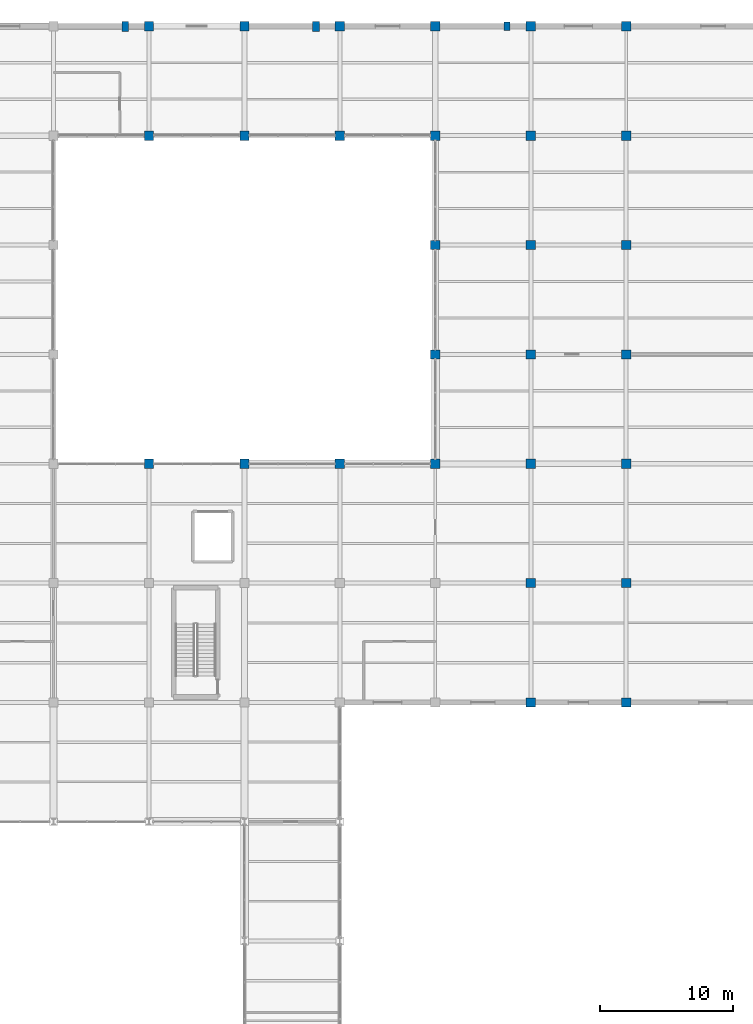
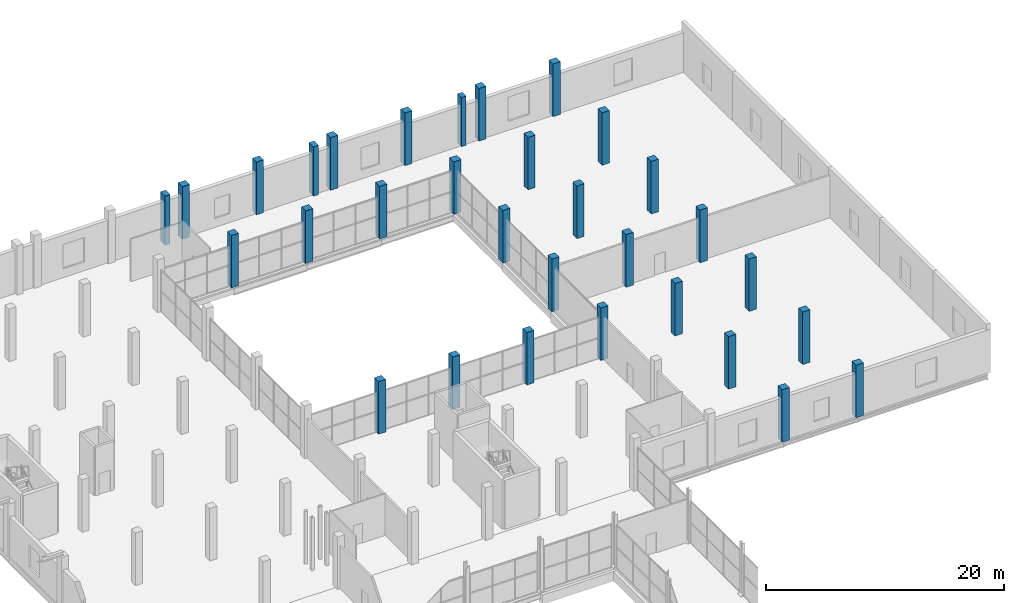
# One storey, part 11 of 147: 31 columns.
"""IFC4 building model written with IfcOpenShell, lengths in metres."""

from ifc_helpers import new_model, si_unit, direction, frame, origin, origin_2d, place, context, subcontext, project, spatial, rectangle, extrude, material, material_profile, profile_set, type_object, element, save


model = new_model("IFC4")

# Units and contexts
model_context = context("Model", 3, precision=1e-05, world=origin(), true_north=direction((0.0, 1.0)))
body_context = subcontext(model_context, "Body", "Model", "MODEL_VIEW")
ifc_project = project(units=[si_unit("LENGTHUNIT", "METRE"), si_unit("AREAUNIT", "SQUARE_METRE"), si_unit("VOLUMEUNIT", "CUBIC_METRE"), si_unit("PLANEANGLEUNIT", "RADIAN"), si_unit("MASSUNIT", "GRAM", prefix="KILO")], contexts=[model_context])

# Site, building, storey
site_placement = place(None, origin())
site = spatial("IfcSite", under=ifc_project, at=site_placement, CompositionType="ELEMENT")
building_placement = place(site_placement, origin())
building = spatial("IfcBuilding", under=site, at=building_placement, Name="Sundgate Opera House", CompositionType="ELEMENT")
storey_placement = place(building_placement, frame((0.0, 0.0, 6.0)))
storey = spatial("IfcBuildingStorey", under=building, at=storey_placement, Name="L01", CompositionType="ELEMENT", Elevation=6.0)

# Columns
ifc_material_1 = material(Name="Concrete C40/50", Category="concrete")
ifc_material_profile_1 = material_profile(ifc_material_1, rectangle(XDim=0.699951171875, YDim=0.699951171875, at=origin_2d()), Name="RC 700x700")
ifc_profile_set_1 = profile_set([ifc_material_profile_1], Name="Concrete C40/50")
column_type_1 = type_object("IfcColumnType", Name="CL-RC-700", PredefinedType="COLUMN", material=ifc_profile_set_1)
for number, where, z_axis, x_axis, name in (
    (1, (131.39990234375, 87.0, 0.0), (0.0, 0.0, 1.0), (1.0, 0.0, 0.0), "L01 Column C0985"),
    (2, (131.39990234375, 111.75, 0.0), (0.0, 0.0, 1.0), (1.0, 0.0, 0.0), "L01 Column C0991"),
    (3, (131.39990234375, 120.0, 0.0), (0.0, 0.0, 1.0), (1.0, 0.0, 0.0), "L01 Column C0994"),
    (4, (138.60009765625, 87.0, 0.0), (0.0, 0.0, 1.0), (1.0, 0.0, 0.0), "L01 Column C1039"),
    (5, (138.60009765625, 111.75, 0.0), (0.0, 0.0, 1.0), (1.0, 0.0, 0.0), "L01 Column C1045"),
    (6, (138.60009765625, 120.0, 0.0), (0.0, 0.0, 1.0), (1.0, 0.0, 0.0), "L01 Column C1048"),
    (7, (145.800048828125, 87.0, 0.0), (0.0, 0.0, 1.0), (1.0, 0.0, 0.0), "L01 Column C1093"),
    (8, (145.800048828125, 111.75, 0.0), (0.0, 0.0, 1.0), (1.0, 0.0, 0.0), "L01 Column C1099"),
    (9, (145.800048828125, 120.0, 0.0), (0.0, 0.0, 1.0), (1.0, 0.0, 0.0), "L01 Column C1102"),
    (10, (153.0, 87.0, 0.0), (0.0, 0.0, 1.0), (1.0, 0.0, 0.0), "L01 Column C1132"),
    (11, (153.0, 95.25, 0.0), (0.0, 0.0, 1.0), (1.0, 0.0, 0.0), "L01 Column C1136"),
    (12, (153.0, 103.5, 0.0), (0.0, 0.0, 1.0), (1.0, 0.0, 0.0), "L01 Column C1140"),
    (13, (153.0, 111.75, 0.0), (0.0, 0.0, 1.0), (1.0, 0.0, 0.0), "L01 Column C1144"),
    (14, (153.0, 120.0, 0.0), (0.0, 0.0, 1.0), (1.0, 0.0, 0.0), "L01 Column C1148"),
    (15, (160.199951171875, 69.0, 0.0), (0.0, 0.0, 1.0), (1.0, 0.0, 0.0), "L01 Column C1166"),
    (16, (160.199951171875, 78.0, 0.0), (0.0, 0.0, 1.0), (1.0, 0.0, 0.0), "L01 Column C1170"),
    (17, (160.199951171875, 87.0, 0.0), (0.0, 0.0, 1.0), (1.0, 0.0, 0.0), "L01 Column C1174"),
    (18, (160.199951171875, 95.25, 0.0), (0.0, 0.0, 1.0), (1.0, 0.0, 0.0), "L01 Column C1178"),
    (19, (160.199951171875, 103.5, 0.0), (0.0, 0.0, 1.0), (1.0, 0.0, 0.0), "L01 Column C1182"),
    (20, (160.199951171875, 111.75, 0.0), (0.0, 0.0, 1.0), (1.0, 0.0, 0.0), "L01 Column C1186"),
    (21, (160.199951171875, 120.0, 0.0), (0.0, 0.0, 1.0), (1.0, 0.0, 0.0), "L01 Column C1190"),
    (22, (167.39990234375, 69.0, 0.0), (0.0, 0.0, 1.0), (1.0, 0.0, 0.0), "L01 Column C1199"),
    (23, (167.39990234375, 78.0, 0.0), (0.0, 0.0, 1.0), (1.0, 0.0, 0.0), "L01 Column C1203"),
    (24, (167.39990234375, 87.0, 0.0), (0.0, 0.0, 1.0), (1.0, 0.0, 0.0), "L01 Column C1207"),
    (25, (167.39990234375, 95.25, 0.0), (0.0, 0.0, 1.0), (1.0, 0.0, 0.0), "L01 Column C1211"),
    (26, (167.39990234375, 103.5, 0.0), (0.0, 0.0, 1.0), (1.0, 0.0, 0.0), "L01 Column C1215"),
    (27, (167.39990234375, 111.75, 0.0), (0.0, 0.0, 1.0), (1.0, 0.0, 0.0), "L01 Column C1219"),
    (28, (167.39990234375, 120.0, 0.0), (0.0, 0.0, 1.0), (1.0, 0.0, 0.0), "L01 Column C1223"),
):
    element("IfcColumn", number, at=place(storey_placement, frame(where, z_axis=z_axis, x_axis=x_axis)), inside=storey, type_object=column_type_1, Name=name, PredefinedType="COLUMN", context=body_context, shape_type="SweptSolid", body=[
        extrude(rectangle(XDim=0.699951171875, YDim=0.699951171875, at=origin_2d()), origin(), (0.0, 0.0, 1.0), 5.39990234375),
    ])
ifc_material_2 = material(Name="Precast concrete C40/50", Category="concrete")
ifc_material_profile_2 = material_profile(ifc_material_2, rectangle(XDim=0.449951171875, YDim=0.64990234375, at=origin_2d()), Name="RC 450x650")
ifc_profile_set_2 = profile_set([ifc_material_profile_2], Name="Precast concrete C40/50")
column_type_2 = type_object("IfcColumnType", Name="PL-RC-450", PredefinedType="PILASTER", material=ifc_profile_set_2)
column_placement = place(storey_placement, frame((158.39990234375, 120.0, 0.0), z_axis=(0.0, 0.0, 1.0), x_axis=(1.0, 0.0, 0.0)))
element("IfcColumn", 29, at=column_placement, inside=storey, type_object=column_type_2, Name="L01 Facade Pilaster C1263", PredefinedType="PILASTER", context=body_context, shape_type="SweptSolid", body=[
    extrude(rectangle(XDim=0.449951171875, YDim=0.64990234375, at=origin_2d()), origin(), (0.0, 0.0, 1.0), 5.050048828125),
])
ifc_material_3 = material(Name="Precast concrete C40/50", Category="concrete")
ifc_material_profile_3 = material_profile(ifc_material_3, rectangle(XDim=0.5, YDim=0.75, at=origin_2d()), Name="RC 500x750")
ifc_profile_set_3 = profile_set([ifc_material_profile_3], Name="Precast concrete C40/50")
column_type_3 = type_object("IfcColumnType", Name="PL-RC-500", PredefinedType="PILASTER", material=ifc_profile_set_3)
for number, where, z_axis, x_axis, name in (
    (30, (129.60009765625, 120.0, 0.0), (0.0, 0.0, 1.0), (1.0, 0.0, 0.0), "L01 Facade Pilaster C1257"),
    (31, (144.0, 120.0, 0.0), (0.0, 0.0, 1.0), (1.0, 0.0, 0.0), "L01 Facade Pilaster C1260"),
):
    element("IfcColumn", number, at=place(storey_placement, frame(where, z_axis=z_axis, x_axis=x_axis)), inside=storey, type_object=column_type_3, Name=name, PredefinedType="PILASTER", context=body_context, shape_type="SweptSolid", body=[
        extrude(rectangle(XDim=0.5, YDim=0.75, at=origin_2d()), origin(), (0.0, 0.0, 1.0), 5.050048828125),
    ])

save(model, "model.ifc")
